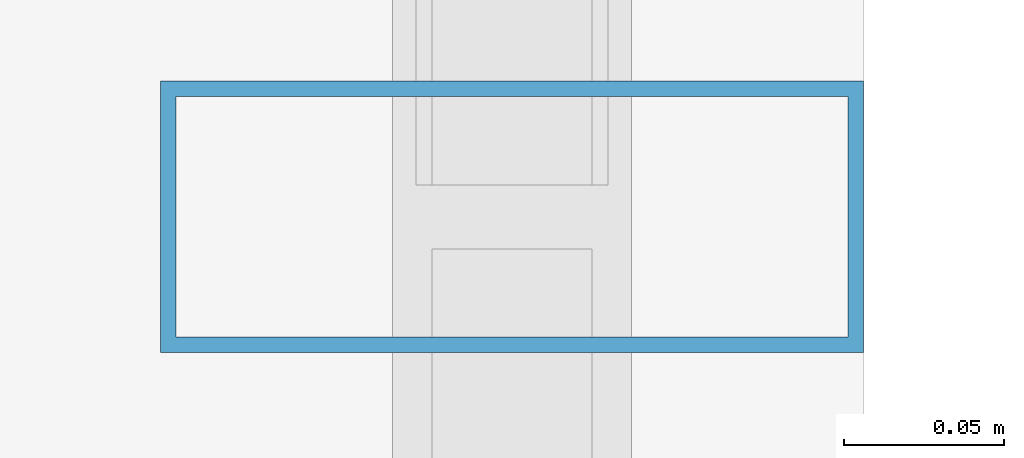
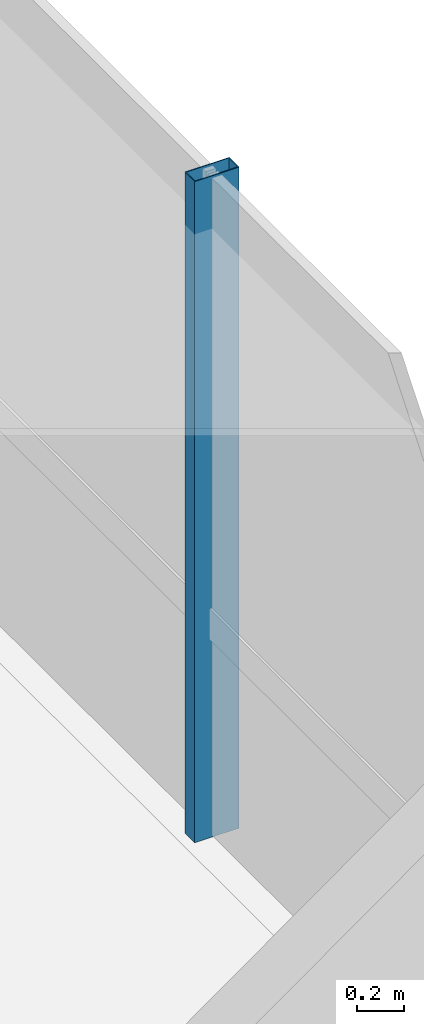
# One storey, part 33 of 50: 1 member, 1 element without a shape of its own.
"""IFC4 building model written with IfcOpenShell, lengths in metres."""

from ifc_helpers import new_model, si_unit, direction, frame, origin, origin_2d, place, context, subcontext, project, spatial, hollow_rectangle, extrude, source, transform, mapped, material, material_profile, profile_set, type_object, element, aggregate, save


model = new_model("IFC4")

# Units and contexts
model_context = context("Model", 3, precision=1e-05, world=origin(), true_north=direction((0.0, 1.0)))
body_context = subcontext(model_context, "Body", "Model", "MODEL_VIEW")
ifc_project = project(units=[si_unit("LENGTHUNIT", "METRE"), si_unit("AREAUNIT", "SQUARE_METRE"), si_unit("VOLUMEUNIT", "CUBIC_METRE"), si_unit("PLANEANGLEUNIT", "RADIAN"), si_unit("MASSUNIT", "GRAM", prefix="KILO")], contexts=[model_context])

# Site, building, storey
site_placement = place(None, origin())
site = spatial("IfcSite", under=ifc_project, at=site_placement, CompositionType="ELEMENT")
building_placement = place(site_placement, origin())
building = spatial("IfcBuilding", under=site, at=building_placement, Name="Valdorenza Pilgrim Sanctuary Tower", CompositionType="ELEMENT")
storey_placement = place(building_placement, frame((0.0, 0.0, 26.0)))
storey = spatial("IfcBuildingStorey", under=building, at=storey_placement, Name="L05", CompositionType="ELEMENT", Elevation=26.0)

# Curtain wall, member
ifc_material_1 = material(Name="Curtain-wall IGU glazing", Category="glass")
curtain_wall_type = type_object("IfcCurtainWallType", Name="CW-SYS-03", PredefinedType="NOTDEFINED", material=ifc_material_1)
curtain_wall_placement = place(storey_placement, origin())
curtain_wall = element("IfcCurtainWall", 1, at=curtain_wall_placement, inside=storey, type_object=curtain_wall_type, Name="L05 Curtain Wall CW-L05-1-21", PredefinedType="NOTDEFINED")
ifc_material_2 = material(Name="Anodised aluminium AW-6060", Category="aluminium")
ifc_material_profile = material_profile(ifc_material_2, hollow_rectangle(XDim=0.0849609375, YDim=0.219970703125, WallThickness=0.0048828125, at=origin_2d()), Name="ALU-M 220x85x5")
ifc_profile_set = profile_set([ifc_material_profile], Name="Anodised aluminium AW-6060")
member_type = type_object("IfcMemberType", Name="CW-MUL-03", PredefinedType="MULLION", material=ifc_profile_set)
shared_shape = source(origin(), body_context, "Body", "SweptSolid", [
    extrude(hollow_rectangle(XDim=0.0849609375, YDim=0.219970703125, WallThickness=0.0048828125, at=origin_2d()), origin(), (0.0, 0.0, 1.0), 3.4599609375),
])
member_placement = place(storey_placement, frame((31.389892578125, 7.761474609375, 0.0), z_axis=(0.0, 0.0, 1.0), x_axis=(0.0, -1.0, 0.0)))
member = element("IfcMember", 2, at=member_placement, type_object=member_type, Name="CW-L05-1-21 Mullion 2", PredefinedType="MULLION", context=body_context, shape_type="MappedRepresentation", body=[
    mapped(shared_shape, transform((0.0, 0.0, 0.0), x_axis=(1.0, 0.0, 0.0), y_axis=(0.0, 1.0, 0.0), z_axis=(0.0, 0.0, 1.0), scale=1.0)),
])
aggregate(curtain_wall, [member])

save(model, "model.ifc")
